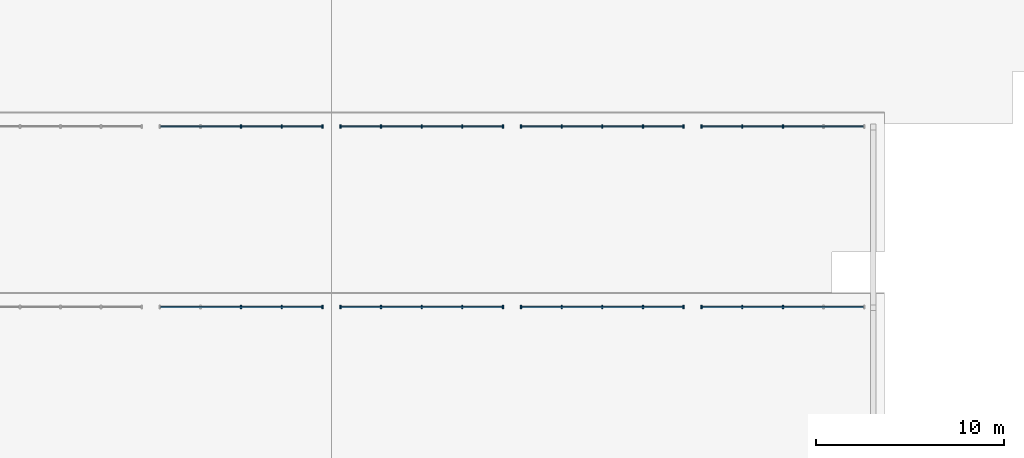
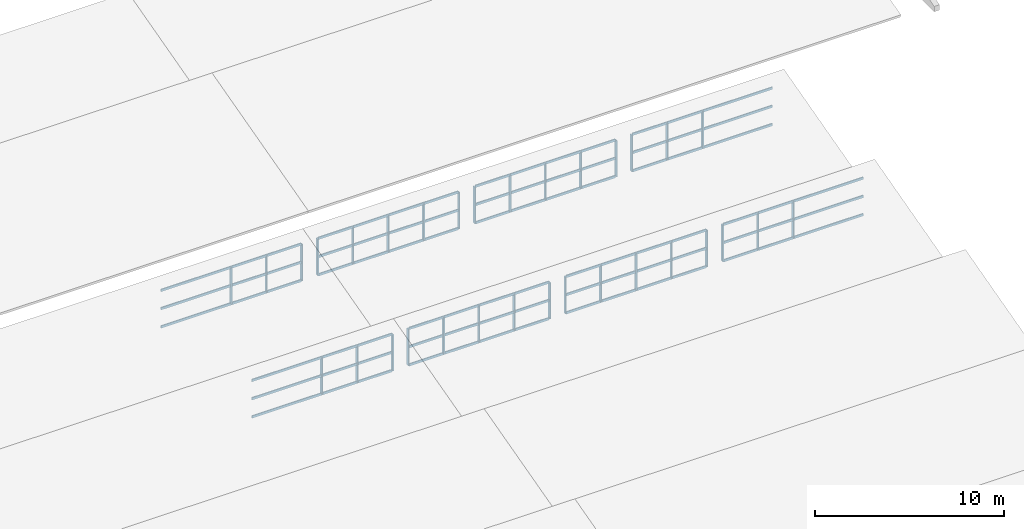
# One storey, part 6 of 18: 56 members, 8 elements without a shape of their own.
"""IFC4 building model written with IfcOpenShell, lengths in metres."""

import ifcopenshell
import ifcopenshell.guid

model = None  # the IFC model being written
_history = None  # IfcOwnerHistory: only IFC2X3 demands one
_inside = {}  # id of a spatial element -> (the spatial element, [elements in it])
_under = {}  # id of a project, library or spatial element -> (it, [spatial elements below it])
_declared = {}  # id of a project -> (the project, [libraries it declares])
_typed = {}  # id of a type object -> (the type object, [elements of that type])
_made_of = {}  # id of a material, layer set ... -> (it, [elements and type objects made of it])


def new_model(schema):
    """Start an empty IFC model of exactly this schema.

    Asked for "IFC4X3", IfcOpenShell would pick the latest addendum, in which some entities
    have other attributes; the version numbers below select the first issue.
    IFC2X3 requires an IfcOwnerHistory on every rooted entity: one is made here for all.
    """
    global model, _history
    if schema == "IFC4X3":
        model = ifcopenshell.file(schema_version=(4, 3, 0, 0))
    else:
        model = ifcopenshell.file(schema=schema)
    _inside.clear()
    _under.clear()
    _declared.clear()
    _typed.clear()
    _made_of.clear()
    _history = None
    if model.schema == "IFC2X3":
        org = make("IfcOrganization", Name="unknown")
        user = make(
            "IfcPersonAndOrganization",
            ThePerson=make("IfcPerson", FamilyName="unknown"),
            TheOrganization=org,
        )
        app = make(
            "IfcApplication",
            ApplicationDeveloper=org,
            Version="unknown",
            ApplicationFullName="unknown",
            ApplicationIdentifier="unknown",
        )
        _history = make(
            "IfcOwnerHistory",
            OwningUser=user,
            OwningApplication=app,
            ChangeAction="ADDED",
            CreationDate=0,
        )
    return model


def make(cls, **values):
    """One entity of the class cls with the attributes given. An attribute that is None is left unset."""
    return model.create_entity(
        cls, **{name: value for name, value in values.items() if value is not None}
    )


def rooted(cls, **values):
    """An entity with a GlobalId (a new one), such as an element, a storey or a relation."""
    return make(cls, GlobalId=ifcopenshell.guid.new(), OwnerHistory=_history, **values)


def si_unit(unit_type, name, prefix=None):
    """IfcSIUnit, for example si_unit("LENGTHUNIT", "METRE", prefix="MILLI")."""
    return make("IfcSIUnit", UnitType=unit_type, Prefix=prefix, Name=name)


def assignment(units):
    """IfcUnitAssignment: the units of a project."""
    return None if units is None else make("IfcUnitAssignment", Units=units)


def point(xyz):
    """IfcCartesianPoint."""
    return None if xyz is None else make("IfcCartesianPoint", Coordinates=xyz)


def direction(xyz):
    """IfcDirection."""
    return None if xyz is None else make("IfcDirection", DirectionRatios=xyz)


def frame(location, z_axis=None, x_axis=None):
    """IfcAxis2Placement3D, a coordinate frame: its origin and axes. An axis left out is left unset."""
    return make(
        "IfcAxis2Placement3D",
        Location=point(location),
        Axis=direction(z_axis),
        RefDirection=direction(x_axis),
    )


def frame_2d(location, x_axis=None):
    """IfcAxis2Placement2D, a coordinate frame in the plane: its origin and x axis."""
    return make(
        "IfcAxis2Placement2D", Location=point(location), RefDirection=direction(x_axis)
    )


def origin():
    """The frame at (0, 0, 0) with its axes left unset."""
    return frame((0.0, 0.0, 0.0))


def origin_2d():
    """The frame at (0, 0) in the plane with its x axis left unset."""
    return frame_2d((0.0, 0.0))


def place(relative_to, where):
    """IfcLocalPlacement: puts the frame where relative to a parent placement (None: the world)."""
    return make(
        "IfcLocalPlacement", PlacementRelTo=relative_to, RelativePlacement=where
    )


def context(
    kind, dimensions, precision=None, world=None, true_north=None, identifier=None
):
    """IfcGeometricRepresentationContext, for example the 3D "Model" context."""
    return make(
        "IfcGeometricRepresentationContext",
        ContextIdentifier=identifier,
        ContextType=kind,
        CoordinateSpaceDimension=dimensions,
        Precision=precision,
        WorldCoordinateSystem=world,
        TrueNorth=true_north,
    )


def subcontext(parent, identifier, kind, view, scale=None):
    """IfcGeometricRepresentationSubContext, for example "Body" below "Model"."""
    return make(
        "IfcGeometricRepresentationSubContext",
        ContextIdentifier=identifier,
        ContextType=kind,
        ParentContext=parent,
        TargetScale=scale,
        TargetView=view,
    )


def project(units=None, contexts=None):
    """IfcProject with its units and contexts."""
    return rooted(
        "IfcProject",
        Name="project",
        RepresentationContexts=contexts,
        UnitsInContext=assignment(units),
    )


def spatial(cls, under=None, at=None, **own):
    """A site, building, storey or space (cls), placed at a placement, below another one or the project."""
    s = rooted(cls, ObjectPlacement=at, **own)
    if under is not None:
        _under.setdefault(under.id(), (under, []))[1].append(s)
    return s


def profile(cls, at=None, kind="AREA", **sizes):
    """A parametric profile (cls). Its sizes go by their IFC names, for example OverallWidth=200.0."""
    return make(cls, ProfileType=kind, Position=at, **sizes)


def rectangle(**sizes):
    """IfcRectangleProfileDef."""
    return profile("IfcRectangleProfileDef", **sizes)


def extrude(swept, where, along, depth):
    """IfcExtrudedAreaSolid: the profile swept, set in the frame where, extruded along a direction by depth."""
    return make(
        "IfcExtrudedAreaSolid",
        SweptArea=swept,
        Position=where,
        ExtrudedDirection=direction(along),
        Depth=depth,
    )


def shape(context_of_items, identifier, shape_type, items):
    """IfcShapeRepresentation: the items that make up one representation, for example the "Body"."""
    return make(
        "IfcShapeRepresentation",
        ContextOfItems=context_of_items,
        RepresentationIdentifier=identifier,
        RepresentationType=shape_type,
        Items=items,
    )


def material(Name=None, Category=None):
    """IfcMaterial."""
    return make("IfcMaterial", Name=Name, Category=Category)


def layer(
    of_material, thickness, ventilated=None, Name=None, Category=None, Priority=None
):
    """IfcMaterialLayer: one layer of a wall or slab, of a material (None: an air gap)."""
    return make(
        "IfcMaterialLayer",
        Material=of_material,
        LayerThickness=thickness,
        IsVentilated=ventilated,
        Name=Name,
        Category=Category,
        Priority=Priority,
    )


def layer_set(layers, Name=None):
    """IfcMaterialLayerSet."""
    return make("IfcMaterialLayerSet", MaterialLayers=layers, LayerSetName=Name)


def material_profile(
    of_material, cross_section, Name=None, Category=None, Priority=None
):
    """IfcMaterialProfile: a cross section and its material."""
    return make(
        "IfcMaterialProfile",
        Name=Name,
        Material=of_material,
        Profile=cross_section,
        Priority=Priority,
        Category=Category,
    )


def profile_set(profiles, Name=None, composite=None):
    """IfcMaterialProfileSet."""
    return make(
        "IfcMaterialProfileSet",
        Name=Name,
        MaterialProfiles=profiles,
        CompositeProfile=composite,
    )


def made_of(thing, what):
    """Note that an element or type object is made of a material, layer set ...; save() writes the relation."""
    if what is not None:
        _made_of.setdefault(what.id(), (what, []))[1].append(thing)
    return thing


def type_object(cls, material=None, **own):
    """A type object (cls), such as IfcWallType, which elements share."""
    return made_of(rooted(cls, **own), material)


def element(
    cls,
    number,
    at=None,
    inside=None,
    cuts=None,
    type_object=None,
    material=None,
    context=None,
    identifier="Body",
    shape_type=None,
    held_by="IfcProductDefinitionShape",
    body=None,
    shapes=None,
    **own,
):
    """One element of the class cls, such as IfcWall. Its Tag is "e" and its number.

    at: its placement. inside: the storey or other place that contains it. cuts: it is an
    opening in that element (IfcRelVoidsElement). A single representation is given by context,
    identifier, shape_type and body (its items); several are given by shapes. held_by: the class
    of the entity that holds the representations. save() writes the other relations.
    """
    e = rooted(cls, Tag="e%d" % number, ObjectPlacement=at, **own)
    if body is not None:
        shapes = [shape(context, identifier, shape_type, body)]
    if shapes is not None:
        e.Representation = make(held_by, Representations=shapes)
    if inside is not None:
        _inside.setdefault(inside.id(), (inside, []))[1].append(e)
    if cuts is not None:
        rooted(
            "IfcRelVoidsElement", RelatingBuildingElement=cuts, RelatedOpeningElement=e
        )
    if type_object is not None:
        _typed.setdefault(type_object.id(), (type_object, []))[1].append(e)
    return made_of(e, material)


def aggregate(whole, parts):
    """IfcRelAggregates: a whole, such as a stair, and the parts it consists of."""
    return rooted("IfcRelAggregates", RelatingObject=whole, RelatedObjects=parts)


def save(model, path):
    """Write the relations noted so far, then the file.

    IfcRelAggregates (storeys below a building ...), IfcRelContainedInSpatialStructure (elements
    in a storey), IfcRelDefinesByType, IfcRelAssociatesMaterial and IfcRelDeclares: one each for
    every whole, place, type object, material and project.
    """
    for whole, parts in _under.values():
        aggregate(whole, parts)
    for where, things in _inside.values():
        rooted(
            "IfcRelContainedInSpatialStructure",
            RelatedElements=things,
            RelatingStructure=where,
        )
    for kind, things in _typed.values():
        rooted("IfcRelDefinesByType", RelatedObjects=things, RelatingType=kind)
    for what, things in _made_of.values():
        rooted("IfcRelAssociatesMaterial", RelatedObjects=things, RelatingMaterial=what)
    for by, libraries in _declared.values():
        rooted("IfcRelDeclares", RelatingContext=by, RelatedDefinitions=libraries)
    model.write(path)


model = new_model("IFC4")

# Units and contexts
model_context = context("Model", 3, precision=1e-05, world=origin(), true_north=direction((0.0, 1.0)))
body_context = subcontext(model_context, "Body", "Model", "MODEL_VIEW")
ifc_project = project(units=[si_unit("LENGTHUNIT", "METRE"), si_unit("AREAUNIT", "SQUARE_METRE"), si_unit("VOLUMEUNIT", "CUBIC_METRE"), si_unit("PLANEANGLEUNIT", "RADIAN"), si_unit("MASSUNIT", "GRAM", prefix="KILO")], contexts=[model_context])

# Site, building, storey
site_placement = place(None, origin())
site = spatial("IfcSite", under=ifc_project, at=site_placement, CompositionType="ELEMENT")
building_placement = place(site_placement, origin())
building = spatial("IfcBuilding", under=site, at=building_placement, Name="Bempovik Park Faculty of Sciences", CompositionType="ELEMENT")
storey_placement = place(building_placement, frame((0.0, 0.0, 50.10009765625)))
storey = spatial("IfcBuildingStorey", under=building, at=storey_placement, Name="Roof", CompositionType="ELEMENT", Elevation=50.10009765625)

# Curtain wall, members
ifc_material_1 = material(Name="Tempered laminated low-E glass", Category="glass")
ifc_layer_1 = layer(ifc_material_1, 0.159912109375)
ifc_layer_set_1 = layer_set([ifc_layer_1], Name="Tempered laminated low-E glass")
curtain_wall_type_1 = type_object("IfcCurtainWallType", Name="CW-53 Curtain 8000x2550", PredefinedType="USERDEFINED", material=ifc_layer_set_1)
curtain_wall_1_placement = place(storey_placement, origin())
curtain_wall_1 = element("IfcCurtainWall", 1, at=curtain_wall_1_placement, inside=storey, type_object=curtain_wall_type_1, Name="V1 Sawtooth North-Light Clerestory Bay 4 (79.2-88.8)", ObjectType="NORTH LIGHT CLERESTORY", PredefinedType="USERDEFINED")
ifc_material_2 = material(Name="Anodised aluminium", Category="aluminium")
ifc_material_profile_1 = material_profile(ifc_material_2, rectangle(XDim=0.070068359375, YDim=0.179931640625, at=origin_2d()), Name="ALU-M 70x180")
ifc_profile_set_1 = profile_set([ifc_material_profile_1], Name="Anodised aluminium")
member_type_1 = type_object("IfcMemberType", Name="ML-26 ALU-M 70x180", PredefinedType="MULLION", material=ifc_profile_set_1)
member_1_placement = place(storey_placement, frame((84.0, 58.080078125, -30.2001953125), z_axis=(0.0, 0.0, 1.0), x_axis=(1.0, 0.0, 0.0)))
member_1 = element("IfcMember", 2, at=member_1_placement, type_object=member_type_1, Name="CW-NL-V1-B4-792 Mullion 2", PredefinedType="MULLION", context=body_context, shape_type="SweptSolid", body=[
    extrude(rectangle(XDim=0.070068359375, YDim=0.179931640625, at=origin_2d()), origin(), (0.0, 0.0, 1.0), 2.352294921875),
])
member_2_placement = place(storey_placement, frame((86.159912109375, 58.080078125, -30.2001953125), z_axis=(0.0, 0.0, 1.0), x_axis=(1.0, 0.0, 0.0)))
member_2 = element("IfcMember", 3, at=member_2_placement, type_object=member_type_1, Name="CW-NL-V1-B4-792 Mullion 3", PredefinedType="MULLION", context=body_context, shape_type="SweptSolid", body=[
    extrude(rectangle(XDim=0.070068359375, YDim=0.179931640625, at=origin_2d()), origin(), (0.0, 0.0, 1.0), 2.352294921875),
])
member_3_placement = place(storey_placement, frame((88.320068359375, 58.080078125, -30.2001953125), z_axis=(0.0, 0.0, 1.0), x_axis=(1.0, 0.0, 0.0)))
member_3 = element("IfcMember", 4, at=member_3_placement, type_object=member_type_1, Name="CW-NL-V1-B4-792 Mullion 4", PredefinedType="MULLION", context=body_context, shape_type="SweptSolid", body=[
    extrude(rectangle(XDim=0.070068359375, YDim=0.179931640625, at=origin_2d()), origin(), (0.0, 0.0, 1.0), 2.352294921875),
])

curtain_wall_2_placement = place(storey_placement, origin())
curtain_wall_2 = element("IfcCurtainWall", 5, at=curtain_wall_2_placement, inside=storey, type_object=curtain_wall_type_1, Name="V1 Sawtooth North-Light Clerestory Bay 4 (88.8-98.4)", ObjectType="NORTH LIGHT CLERESTORY", PredefinedType="USERDEFINED")
member_4_placement = place(storey_placement, frame((89.280029296875, 58.080078125, -30.2001953125), z_axis=(0.0, 0.0, 1.0), x_axis=(1.0, 0.0, 0.0)))
member_4 = element("IfcMember", 6, at=member_4_placement, type_object=member_type_1, Name="CW-NL-V1-B4-888 Mullion 0", PredefinedType="MULLION", context=body_context, shape_type="SweptSolid", body=[
    extrude(rectangle(XDim=0.070068359375, YDim=0.179931640625, at=origin_2d()), origin(), (0.0, 0.0, 1.0), 2.352294921875),
])
member_5_placement = place(storey_placement, frame((91.43994140625, 58.080078125, -30.2001953125), z_axis=(0.0, 0.0, 1.0), x_axis=(1.0, 0.0, 0.0)))
member_5 = element("IfcMember", 7, at=member_5_placement, type_object=member_type_1, Name="CW-NL-V1-B4-888 Mullion 1", PredefinedType="MULLION", context=body_context, shape_type="SweptSolid", body=[
    extrude(rectangle(XDim=0.070068359375, YDim=0.179931640625, at=origin_2d()), origin(), (0.0, 0.0, 1.0), 2.352294921875),
])
member_6_placement = place(storey_placement, frame((93.60009765625, 58.080078125, -30.2001953125), z_axis=(0.0, 0.0, 1.0), x_axis=(1.0, 0.0, 0.0)))
member_6 = element("IfcMember", 8, at=member_6_placement, type_object=member_type_1, Name="CW-NL-V1-B4-888 Mullion 2", PredefinedType="MULLION", context=body_context, shape_type="SweptSolid", body=[
    extrude(rectangle(XDim=0.070068359375, YDim=0.179931640625, at=origin_2d()), origin(), (0.0, 0.0, 1.0), 2.352294921875),
])
member_7_placement = place(storey_placement, frame((95.760009765625, 58.080078125, -30.2001953125), z_axis=(0.0, 0.0, 1.0), x_axis=(1.0, 0.0, 0.0)))
member_7 = element("IfcMember", 9, at=member_7_placement, type_object=member_type_1, Name="CW-NL-V1-B4-888 Mullion 3", PredefinedType="MULLION", context=body_context, shape_type="SweptSolid", body=[
    extrude(rectangle(XDim=0.070068359375, YDim=0.179931640625, at=origin_2d()), origin(), (0.0, 0.0, 1.0), 2.352294921875),
])
member_8_placement = place(storey_placement, frame((97.919921875, 58.080078125, -30.2001953125), z_axis=(0.0, 0.0, 1.0), x_axis=(1.0, 0.0, 0.0)))
member_8 = element("IfcMember", 10, at=member_8_placement, type_object=member_type_1, Name="CW-NL-V1-B4-888 Mullion 4", PredefinedType="MULLION", context=body_context, shape_type="SweptSolid", body=[
    extrude(rectangle(XDim=0.070068359375, YDim=0.179931640625, at=origin_2d()), origin(), (0.0, 0.0, 1.0), 2.352294921875),
])

curtain_wall_3_placement = place(storey_placement, origin())
curtain_wall_3 = element("IfcCurtainWall", 11, at=curtain_wall_3_placement, inside=storey, type_object=curtain_wall_type_1, Name="V1 Sawtooth North-Light Clerestory Bay 4 (98.4-108.0)", ObjectType="NORTH LIGHT CLERESTORY", PredefinedType="USERDEFINED")
member_9_placement = place(storey_placement, frame((98.8798828125, 58.080078125, -30.2001953125), z_axis=(0.0, 0.0, 1.0), x_axis=(1.0, 0.0, 0.0)))
member_9 = element("IfcMember", 12, at=member_9_placement, type_object=member_type_1, Name="CW-NL-V1-B4-984 Mullion 0", PredefinedType="MULLION", context=body_context, shape_type="SweptSolid", body=[
    extrude(rectangle(XDim=0.070068359375, YDim=0.179931640625, at=origin_2d()), origin(), (0.0, 0.0, 1.0), 2.352294921875),
])
member_10_placement = place(storey_placement, frame((101.0400390625, 58.080078125, -30.2001953125), z_axis=(0.0, 0.0, 1.0), x_axis=(1.0, 0.0, 0.0)))
member_10 = element("IfcMember", 13, at=member_10_placement, type_object=member_type_1, Name="CW-NL-V1-B4-984 Mullion 1", PredefinedType="MULLION", context=body_context, shape_type="SweptSolid", body=[
    extrude(rectangle(XDim=0.070068359375, YDim=0.179931640625, at=origin_2d()), origin(), (0.0, 0.0, 1.0), 2.352294921875),
])
member_11_placement = place(storey_placement, frame((103.199951171875, 58.080078125, -30.2001953125), z_axis=(0.0, 0.0, 1.0), x_axis=(1.0, 0.0, 0.0)))
member_11 = element("IfcMember", 14, at=member_11_placement, type_object=member_type_1, Name="CW-NL-V1-B4-984 Mullion 2", PredefinedType="MULLION", context=body_context, shape_type="SweptSolid", body=[
    extrude(rectangle(XDim=0.070068359375, YDim=0.179931640625, at=origin_2d()), origin(), (0.0, 0.0, 1.0), 2.352294921875),
])
member_12_placement = place(storey_placement, frame((105.360107421875, 58.080078125, -30.2001953125), z_axis=(0.0, 0.0, 1.0), x_axis=(1.0, 0.0, 0.0)))
member_12 = element("IfcMember", 15, at=member_12_placement, type_object=member_type_1, Name="CW-NL-V1-B4-984 Mullion 3", PredefinedType="MULLION", context=body_context, shape_type="SweptSolid", body=[
    extrude(rectangle(XDim=0.070068359375, YDim=0.179931640625, at=origin_2d()), origin(), (0.0, 0.0, 1.0), 2.352294921875),
])
member_13_placement = place(storey_placement, frame((107.52001953125, 58.080078125, -30.2001953125), z_axis=(0.0, 0.0, 1.0), x_axis=(1.0, 0.0, 0.0)))
member_13 = element("IfcMember", 16, at=member_13_placement, type_object=member_type_1, Name="CW-NL-V1-B4-984 Mullion 4", PredefinedType="MULLION", context=body_context, shape_type="SweptSolid", body=[
    extrude(rectangle(XDim=0.070068359375, YDim=0.179931640625, at=origin_2d()), origin(), (0.0, 0.0, 1.0), 2.352294921875),
])

ifc_layer_2 = layer(ifc_material_1, 0.159912109375)
ifc_layer_set_2 = layer_set([ifc_layer_2], Name="Tempered laminated low-E glass")
curtain_wall_type_2 = type_object("IfcCurtainWallType", Name="CW-17 Curtain 7200x2550", PredefinedType="USERDEFINED", material=ifc_layer_set_2)
curtain_wall_4_placement = place(storey_placement, origin())
curtain_wall_4 = element("IfcCurtainWall", 17, at=curtain_wall_4_placement, inside=storey, type_object=curtain_wall_type_2, Name="V1 Sawtooth North-Light Clerestory Bay 4 (108.0-117.6)", ObjectType="NORTH LIGHT CLERESTORY", PredefinedType="USERDEFINED")
member_14_placement = place(storey_placement, frame((108.47998046875, 58.080078125, -30.2001953125), z_axis=(0.0, 0.0, 1.0), x_axis=(1.0, 0.0, 0.0)))
member_14 = element("IfcMember", 18, at=member_14_placement, type_object=member_type_1, Name="CW-NL-V1-B4-1080 Mullion 0", PredefinedType="MULLION", context=body_context, shape_type="SweptSolid", body=[
    extrude(rectangle(XDim=0.070068359375, YDim=0.179931640625, at=origin_2d()), origin(), (0.0, 0.0, 1.0), 2.352294921875),
])
member_15_placement = place(storey_placement, frame((110.639892578125, 58.080078125, -30.2001953125), z_axis=(0.0, 0.0, 1.0), x_axis=(1.0, 0.0, 0.0)))
member_15 = element("IfcMember", 19, at=member_15_placement, type_object=member_type_1, Name="CW-NL-V1-B4-1080 Mullion 1", PredefinedType="MULLION", context=body_context, shape_type="SweptSolid", body=[
    extrude(rectangle(XDim=0.070068359375, YDim=0.179931640625, at=origin_2d()), origin(), (0.0, 0.0, 1.0), 2.352294921875),
])
member_16_placement = place(storey_placement, frame((112.800048828125, 58.080078125, -30.2001953125), z_axis=(0.0, 0.0, 1.0), x_axis=(1.0, 0.0, 0.0)))
member_16 = element("IfcMember", 20, at=member_16_placement, type_object=member_type_1, Name="CW-NL-V1-B4-1080 Mullion 2", PredefinedType="MULLION", context=body_context, shape_type="SweptSolid", body=[
    extrude(rectangle(XDim=0.070068359375, YDim=0.179931640625, at=origin_2d()), origin(), (0.0, 0.0, 1.0), 2.352294921875),
])

curtain_wall_5_placement = place(storey_placement, origin())
curtain_wall_5 = element("IfcCurtainWall", 21, at=curtain_wall_5_placement, inside=storey, type_object=curtain_wall_type_1, Name="V1 Sawtooth North-Light Clerestory Bay 5 (79.2-88.8)", ObjectType="NORTH LIGHT CLERESTORY", PredefinedType="USERDEFINED")
member_17_placement = place(storey_placement, frame((84.0, 67.679931640625, -30.2001953125), z_axis=(0.0, 0.0, 1.0), x_axis=(1.0, 0.0, 0.0)))
member_17 = element("IfcMember", 22, at=member_17_placement, type_object=member_type_1, Name="CW-NL-V1-B5-792 Mullion 2", PredefinedType="MULLION", context=body_context, shape_type="SweptSolid", body=[
    extrude(rectangle(XDim=0.070068359375, YDim=0.179931640625, at=origin_2d()), origin(), (0.0, 0.0, 1.0), 2.352294921875),
])
member_18_placement = place(storey_placement, frame((86.159912109375, 67.679931640625, -30.2001953125), z_axis=(0.0, 0.0, 1.0), x_axis=(1.0, 0.0, 0.0)))
member_18 = element("IfcMember", 23, at=member_18_placement, type_object=member_type_1, Name="CW-NL-V1-B5-792 Mullion 3", PredefinedType="MULLION", context=body_context, shape_type="SweptSolid", body=[
    extrude(rectangle(XDim=0.070068359375, YDim=0.179931640625, at=origin_2d()), origin(), (0.0, 0.0, 1.0), 2.352294921875),
])
member_19_placement = place(storey_placement, frame((88.320068359375, 67.679931640625, -30.2001953125), z_axis=(0.0, 0.0, 1.0), x_axis=(1.0, 0.0, 0.0)))
member_19 = element("IfcMember", 24, at=member_19_placement, type_object=member_type_1, Name="CW-NL-V1-B5-792 Mullion 4", PredefinedType="MULLION", context=body_context, shape_type="SweptSolid", body=[
    extrude(rectangle(XDim=0.070068359375, YDim=0.179931640625, at=origin_2d()), origin(), (0.0, 0.0, 1.0), 2.352294921875),
])

curtain_wall_6_placement = place(storey_placement, origin())
curtain_wall_6 = element("IfcCurtainWall", 25, at=curtain_wall_6_placement, inside=storey, type_object=curtain_wall_type_1, Name="V1 Sawtooth North-Light Clerestory Bay 5 (88.8-98.4)", ObjectType="NORTH LIGHT CLERESTORY", PredefinedType="USERDEFINED")
member_20_placement = place(storey_placement, frame((89.280029296875, 67.679931640625, -30.2001953125), z_axis=(0.0, 0.0, 1.0), x_axis=(1.0, 0.0, 0.0)))
member_20 = element("IfcMember", 26, at=member_20_placement, type_object=member_type_1, Name="CW-NL-V1-B5-888 Mullion 0", PredefinedType="MULLION", context=body_context, shape_type="SweptSolid", body=[
    extrude(rectangle(XDim=0.070068359375, YDim=0.179931640625, at=origin_2d()), origin(), (0.0, 0.0, 1.0), 2.352294921875),
])
member_21_placement = place(storey_placement, frame((91.43994140625, 67.679931640625, -30.2001953125), z_axis=(0.0, 0.0, 1.0), x_axis=(1.0, 0.0, 0.0)))
member_21 = element("IfcMember", 27, at=member_21_placement, type_object=member_type_1, Name="CW-NL-V1-B5-888 Mullion 1", PredefinedType="MULLION", context=body_context, shape_type="SweptSolid", body=[
    extrude(rectangle(XDim=0.070068359375, YDim=0.179931640625, at=origin_2d()), origin(), (0.0, 0.0, 1.0), 2.352294921875),
])
member_22_placement = place(storey_placement, frame((93.60009765625, 67.679931640625, -30.2001953125), z_axis=(0.0, 0.0, 1.0), x_axis=(1.0, 0.0, 0.0)))
member_22 = element("IfcMember", 28, at=member_22_placement, type_object=member_type_1, Name="CW-NL-V1-B5-888 Mullion 2", PredefinedType="MULLION", context=body_context, shape_type="SweptSolid", body=[
    extrude(rectangle(XDim=0.070068359375, YDim=0.179931640625, at=origin_2d()), origin(), (0.0, 0.0, 1.0), 2.352294921875),
])
member_23_placement = place(storey_placement, frame((95.760009765625, 67.679931640625, -30.2001953125), z_axis=(0.0, 0.0, 1.0), x_axis=(1.0, 0.0, 0.0)))
member_23 = element("IfcMember", 29, at=member_23_placement, type_object=member_type_1, Name="CW-NL-V1-B5-888 Mullion 3", PredefinedType="MULLION", context=body_context, shape_type="SweptSolid", body=[
    extrude(rectangle(XDim=0.070068359375, YDim=0.179931640625, at=origin_2d()), origin(), (0.0, 0.0, 1.0), 2.352294921875),
])
member_24_placement = place(storey_placement, frame((97.919921875, 67.679931640625, -30.2001953125), z_axis=(0.0, 0.0, 1.0), x_axis=(1.0, 0.0, 0.0)))
member_24 = element("IfcMember", 30, at=member_24_placement, type_object=member_type_1, Name="CW-NL-V1-B5-888 Mullion 4", PredefinedType="MULLION", context=body_context, shape_type="SweptSolid", body=[
    extrude(rectangle(XDim=0.070068359375, YDim=0.179931640625, at=origin_2d()), origin(), (0.0, 0.0, 1.0), 2.352294921875),
])

curtain_wall_7_placement = place(storey_placement, origin())
curtain_wall_7 = element("IfcCurtainWall", 31, at=curtain_wall_7_placement, inside=storey, type_object=curtain_wall_type_1, Name="V1 Sawtooth North-Light Clerestory Bay 5 (98.4-108.0)", ObjectType="NORTH LIGHT CLERESTORY", PredefinedType="USERDEFINED")
member_25_placement = place(storey_placement, frame((98.8798828125, 67.679931640625, -30.2001953125), z_axis=(0.0, 0.0, 1.0), x_axis=(1.0, 0.0, 0.0)))
member_25 = element("IfcMember", 32, at=member_25_placement, type_object=member_type_1, Name="CW-NL-V1-B5-984 Mullion 0", PredefinedType="MULLION", context=body_context, shape_type="SweptSolid", body=[
    extrude(rectangle(XDim=0.070068359375, YDim=0.179931640625, at=origin_2d()), origin(), (0.0, 0.0, 1.0), 2.352294921875),
])
member_26_placement = place(storey_placement, frame((101.0400390625, 67.679931640625, -30.2001953125), z_axis=(0.0, 0.0, 1.0), x_axis=(1.0, 0.0, 0.0)))
member_26 = element("IfcMember", 33, at=member_26_placement, type_object=member_type_1, Name="CW-NL-V1-B5-984 Mullion 1", PredefinedType="MULLION", context=body_context, shape_type="SweptSolid", body=[
    extrude(rectangle(XDim=0.070068359375, YDim=0.179931640625, at=origin_2d()), origin(), (0.0, 0.0, 1.0), 2.352294921875),
])
member_27_placement = place(storey_placement, frame((103.199951171875, 67.679931640625, -30.2001953125), z_axis=(0.0, 0.0, 1.0), x_axis=(1.0, 0.0, 0.0)))
member_27 = element("IfcMember", 34, at=member_27_placement, type_object=member_type_1, Name="CW-NL-V1-B5-984 Mullion 2", PredefinedType="MULLION", context=body_context, shape_type="SweptSolid", body=[
    extrude(rectangle(XDim=0.070068359375, YDim=0.179931640625, at=origin_2d()), origin(), (0.0, 0.0, 1.0), 2.352294921875),
])
member_28_placement = place(storey_placement, frame((105.360107421875, 67.679931640625, -30.2001953125), z_axis=(0.0, 0.0, 1.0), x_axis=(1.0, 0.0, 0.0)))
member_28 = element("IfcMember", 35, at=member_28_placement, type_object=member_type_1, Name="CW-NL-V1-B5-984 Mullion 3", PredefinedType="MULLION", context=body_context, shape_type="SweptSolid", body=[
    extrude(rectangle(XDim=0.070068359375, YDim=0.179931640625, at=origin_2d()), origin(), (0.0, 0.0, 1.0), 2.352294921875),
])
member_29_placement = place(storey_placement, frame((107.52001953125, 67.679931640625, -30.2001953125), z_axis=(0.0, 0.0, 1.0), x_axis=(1.0, 0.0, 0.0)))
member_29 = element("IfcMember", 36, at=member_29_placement, type_object=member_type_1, Name="CW-NL-V1-B5-984 Mullion 4", PredefinedType="MULLION", context=body_context, shape_type="SweptSolid", body=[
    extrude(rectangle(XDim=0.070068359375, YDim=0.179931640625, at=origin_2d()), origin(), (0.0, 0.0, 1.0), 2.352294921875),
])

curtain_wall_8_placement = place(storey_placement, origin())
curtain_wall_8 = element("IfcCurtainWall", 37, at=curtain_wall_8_placement, inside=storey, type_object=curtain_wall_type_2, Name="V1 Sawtooth North-Light Clerestory Bay 5 (108.0-117.6)", ObjectType="NORTH LIGHT CLERESTORY", PredefinedType="USERDEFINED")
member_30_placement = place(storey_placement, frame((108.47998046875, 67.679931640625, -30.2001953125), z_axis=(0.0, 0.0, 1.0), x_axis=(1.0, 0.0, 0.0)))
member_30 = element("IfcMember", 38, at=member_30_placement, type_object=member_type_1, Name="CW-NL-V1-B5-1080 Mullion 0", PredefinedType="MULLION", context=body_context, shape_type="SweptSolid", body=[
    extrude(rectangle(XDim=0.070068359375, YDim=0.179931640625, at=origin_2d()), origin(), (0.0, 0.0, 1.0), 2.352294921875),
])
member_31_placement = place(storey_placement, frame((110.639892578125, 67.679931640625, -30.2001953125), z_axis=(0.0, 0.0, 1.0), x_axis=(1.0, 0.0, 0.0)))
member_31 = element("IfcMember", 39, at=member_31_placement, type_object=member_type_1, Name="CW-NL-V1-B5-1080 Mullion 1", PredefinedType="MULLION", context=body_context, shape_type="SweptSolid", body=[
    extrude(rectangle(XDim=0.070068359375, YDim=0.179931640625, at=origin_2d()), origin(), (0.0, 0.0, 1.0), 2.352294921875),
])
member_32_placement = place(storey_placement, frame((112.800048828125, 67.679931640625, -30.2001953125), z_axis=(0.0, 0.0, 1.0), x_axis=(1.0, 0.0, 0.0)))
member_32 = element("IfcMember", 40, at=member_32_placement, type_object=member_type_1, Name="CW-NL-V1-B5-1080 Mullion 2", PredefinedType="MULLION", context=body_context, shape_type="SweptSolid", body=[
    extrude(rectangle(XDim=0.070068359375, YDim=0.179931640625, at=origin_2d()), origin(), (0.0, 0.0, 1.0), 2.352294921875),
])

# Member
ifc_material_profile_2 = material_profile(ifc_material_2, rectangle(XDim=0.070068359375, YDim=0.14990234375, at=origin_2d()), Name="ALU-T 70x150")
ifc_profile_set_2 = profile_set([ifc_material_profile_2], Name="Anodised aluminium")
member_type_2 = type_object("IfcMemberType", Name="TR-21 ALU-T 70x150", PredefinedType="USERDEFINED", material=ifc_profile_set_2)
member_33_placement = place(storey_placement, frame((79.719970703125, 58.080078125, -30.2001953125), z_axis=(1.0, 0.0, 0.0), x_axis=(0.0, 1.0, 0.0)))
member_33 = element("IfcMember", 41, at=member_33_placement, type_object=member_type_2, Name="CW-NL-V1-B4-792 Transom 0", ObjectType="TRANSOM", PredefinedType="USERDEFINED", context=body_context, shape_type="SweptSolid", body=[
    extrude(rectangle(XDim=0.070068359375, YDim=0.14990234375, at=origin_2d()), origin(), (0.0, 0.0, 1.0), 8.56005859375),
])

member_34_placement = place(storey_placement, frame((79.719970703125, 58.080078125, -29.02392578125), z_axis=(1.0, 0.0, 0.0), x_axis=(0.0, 1.0, 0.0)))
member_34 = element("IfcMember", 42, at=member_34_placement, type_object=member_type_2, Name="CW-NL-V1-B4-792 Transom 1", ObjectType="TRANSOM", PredefinedType="USERDEFINED", context=body_context, shape_type="SweptSolid", body=[
    extrude(rectangle(XDim=0.070068359375, YDim=0.14990234375, at=origin_2d()), origin(), (0.0, 0.0, 1.0), 8.56005859375),
])

member_35_placement = place(storey_placement, frame((79.719970703125, 58.080078125, -27.847900390625), z_axis=(1.0, 0.0, 0.0), x_axis=(0.0, 1.0, 0.0)))
member_35 = element("IfcMember", 43, at=member_35_placement, type_object=member_type_2, Name="CW-NL-V1-B4-792 Transom 2", ObjectType="TRANSOM", PredefinedType="USERDEFINED", context=body_context, shape_type="SweptSolid", body=[
    extrude(rectangle(XDim=0.070068359375, YDim=0.14990234375, at=origin_2d()), origin(), (0.0, 0.0, 1.0), 8.56005859375),
])

aggregate(curtain_wall_1, [member_1, member_2, member_3, member_33, member_34, member_35])

member_36_placement = place(storey_placement, frame((89.320068359375, 58.080078125, -30.2001953125), z_axis=(1.0, 0.0, 0.0), x_axis=(0.0, 1.0, 0.0)))
member_36 = element("IfcMember", 44, at=member_36_placement, type_object=member_type_2, Name="CW-NL-V1-B4-888 Transom 0", ObjectType="TRANSOM", PredefinedType="USERDEFINED", context=body_context, shape_type="SweptSolid", body=[
    extrude(rectangle(XDim=0.070068359375, YDim=0.14990234375, at=origin_2d()), origin(), (0.0, 0.0, 1.0), 8.559814453125),
])

member_37_placement = place(storey_placement, frame((89.320068359375, 58.080078125, -29.02392578125), z_axis=(1.0, 0.0, 0.0), x_axis=(0.0, 1.0, 0.0)))
member_37 = element("IfcMember", 45, at=member_37_placement, type_object=member_type_2, Name="CW-NL-V1-B4-888 Transom 1", ObjectType="TRANSOM", PredefinedType="USERDEFINED", context=body_context, shape_type="SweptSolid", body=[
    extrude(rectangle(XDim=0.070068359375, YDim=0.14990234375, at=origin_2d()), origin(), (0.0, 0.0, 1.0), 8.559814453125),
])

member_38_placement = place(storey_placement, frame((89.320068359375, 58.080078125, -27.847900390625), z_axis=(1.0, 0.0, 0.0), x_axis=(0.0, 1.0, 0.0)))
member_38 = element("IfcMember", 46, at=member_38_placement, type_object=member_type_2, Name="CW-NL-V1-B4-888 Transom 2", ObjectType="TRANSOM", PredefinedType="USERDEFINED", context=body_context, shape_type="SweptSolid", body=[
    extrude(rectangle(XDim=0.070068359375, YDim=0.14990234375, at=origin_2d()), origin(), (0.0, 0.0, 1.0), 8.559814453125),
])

aggregate(curtain_wall_2, [member_4, member_5, member_6, member_7, member_8, member_36, member_37, member_38])

member_39_placement = place(storey_placement, frame((98.919921875, 58.080078125, -30.2001953125), z_axis=(1.0, 0.0, 0.0), x_axis=(0.0, 1.0, 0.0)))
member_39 = element("IfcMember", 47, at=member_39_placement, type_object=member_type_2, Name="CW-NL-V1-B4-984 Transom 0", ObjectType="TRANSOM", PredefinedType="USERDEFINED", context=body_context, shape_type="SweptSolid", body=[
    extrude(rectangle(XDim=0.070068359375, YDim=0.14990234375, at=origin_2d()), origin(), (0.0, 0.0, 1.0), 8.56005859375),
])

member_40_placement = place(storey_placement, frame((98.919921875, 58.080078125, -29.02392578125), z_axis=(1.0, 0.0, 0.0), x_axis=(0.0, 1.0, 0.0)))
member_40 = element("IfcMember", 48, at=member_40_placement, type_object=member_type_2, Name="CW-NL-V1-B4-984 Transom 1", ObjectType="TRANSOM", PredefinedType="USERDEFINED", context=body_context, shape_type="SweptSolid", body=[
    extrude(rectangle(XDim=0.070068359375, YDim=0.14990234375, at=origin_2d()), origin(), (0.0, 0.0, 1.0), 8.56005859375),
])

member_41_placement = place(storey_placement, frame((98.919921875, 58.080078125, -27.847900390625), z_axis=(1.0, 0.0, 0.0), x_axis=(0.0, 1.0, 0.0)))
member_41 = element("IfcMember", 49, at=member_41_placement, type_object=member_type_2, Name="CW-NL-V1-B4-984 Transom 2", ObjectType="TRANSOM", PredefinedType="USERDEFINED", context=body_context, shape_type="SweptSolid", body=[
    extrude(rectangle(XDim=0.070068359375, YDim=0.14990234375, at=origin_2d()), origin(), (0.0, 0.0, 1.0), 8.56005859375),
])

aggregate(curtain_wall_3, [member_9, member_10, member_11, member_12, member_13, member_39, member_40, member_41])

member_42_placement = place(storey_placement, frame((108.52001953125, 58.080078125, -30.2001953125), z_axis=(1.0, 0.0, 0.0), x_axis=(0.0, 1.0, 0.0)))
member_42 = element("IfcMember", 50, at=member_42_placement, type_object=member_type_2, Name="CW-NL-V1-B4-1080 Transom 0", ObjectType="TRANSOM", PredefinedType="USERDEFINED", context=body_context, shape_type="SweptSolid", body=[
    extrude(rectangle(XDim=0.070068359375, YDim=0.14990234375, at=origin_2d()), origin(), (0.0, 0.0, 1.0), 8.56005859375),
])

member_43_placement = place(storey_placement, frame((108.52001953125, 58.080078125, -29.02392578125), z_axis=(1.0, 0.0, 0.0), x_axis=(0.0, 1.0, 0.0)))
member_43 = element("IfcMember", 51, at=member_43_placement, type_object=member_type_2, Name="CW-NL-V1-B4-1080 Transom 1", ObjectType="TRANSOM", PredefinedType="USERDEFINED", context=body_context, shape_type="SweptSolid", body=[
    extrude(rectangle(XDim=0.070068359375, YDim=0.14990234375, at=origin_2d()), origin(), (0.0, 0.0, 1.0), 8.56005859375),
])

member_44_placement = place(storey_placement, frame((108.52001953125, 58.080078125, -27.847900390625), z_axis=(1.0, 0.0, 0.0), x_axis=(0.0, 1.0, 0.0)))
member_44 = element("IfcMember", 52, at=member_44_placement, type_object=member_type_2, Name="CW-NL-V1-B4-1080 Transom 2", ObjectType="TRANSOM", PredefinedType="USERDEFINED", context=body_context, shape_type="SweptSolid", body=[
    extrude(rectangle(XDim=0.070068359375, YDim=0.14990234375, at=origin_2d()), origin(), (0.0, 0.0, 1.0), 8.56005859375),
])

aggregate(curtain_wall_4, [member_14, member_15, member_16, member_42, member_43, member_44])

member_45_placement = place(storey_placement, frame((79.719970703125, 67.679931640625, -30.2001953125), z_axis=(1.0, 0.0, 0.0), x_axis=(0.0, 1.0, 0.0)))
member_45 = element("IfcMember", 53, at=member_45_placement, type_object=member_type_2, Name="CW-NL-V1-B5-792 Transom 0", ObjectType="TRANSOM", PredefinedType="USERDEFINED", context=body_context, shape_type="SweptSolid", body=[
    extrude(rectangle(XDim=0.070068359375, YDim=0.14990234375, at=origin_2d()), origin(), (0.0, 0.0, 1.0), 8.56005859375),
])

member_46_placement = place(storey_placement, frame((79.719970703125, 67.679931640625, -29.02392578125), z_axis=(1.0, 0.0, 0.0), x_axis=(0.0, 1.0, 0.0)))
member_46 = element("IfcMember", 54, at=member_46_placement, type_object=member_type_2, Name="CW-NL-V1-B5-792 Transom 1", ObjectType="TRANSOM", PredefinedType="USERDEFINED", context=body_context, shape_type="SweptSolid", body=[
    extrude(rectangle(XDim=0.070068359375, YDim=0.14990234375, at=origin_2d()), origin(), (0.0, 0.0, 1.0), 8.56005859375),
])

member_47_placement = place(storey_placement, frame((79.719970703125, 67.679931640625, -27.847900390625), z_axis=(1.0, 0.0, 0.0), x_axis=(0.0, 1.0, 0.0)))
member_47 = element("IfcMember", 55, at=member_47_placement, type_object=member_type_2, Name="CW-NL-V1-B5-792 Transom 2", ObjectType="TRANSOM", PredefinedType="USERDEFINED", context=body_context, shape_type="SweptSolid", body=[
    extrude(rectangle(XDim=0.070068359375, YDim=0.14990234375, at=origin_2d()), origin(), (0.0, 0.0, 1.0), 8.56005859375),
])

aggregate(curtain_wall_5, [member_17, member_18, member_19, member_45, member_46, member_47])

member_48_placement = place(storey_placement, frame((89.320068359375, 67.679931640625, -30.2001953125), z_axis=(1.0, 0.0, 0.0), x_axis=(0.0, 1.0, 0.0)))
member_48 = element("IfcMember", 56, at=member_48_placement, type_object=member_type_2, Name="CW-NL-V1-B5-888 Transom 0", ObjectType="TRANSOM", PredefinedType="USERDEFINED", context=body_context, shape_type="SweptSolid", body=[
    extrude(rectangle(XDim=0.070068359375, YDim=0.14990234375, at=origin_2d()), origin(), (0.0, 0.0, 1.0), 8.559814453125),
])

member_49_placement = place(storey_placement, frame((89.320068359375, 67.679931640625, -29.02392578125), z_axis=(1.0, 0.0, 0.0), x_axis=(0.0, 1.0, 0.0)))
member_49 = element("IfcMember", 57, at=member_49_placement, type_object=member_type_2, Name="CW-NL-V1-B5-888 Transom 1", ObjectType="TRANSOM", PredefinedType="USERDEFINED", context=body_context, shape_type="SweptSolid", body=[
    extrude(rectangle(XDim=0.070068359375, YDim=0.14990234375, at=origin_2d()), origin(), (0.0, 0.0, 1.0), 8.559814453125),
])

member_50_placement = place(storey_placement, frame((89.320068359375, 67.679931640625, -27.847900390625), z_axis=(1.0, 0.0, 0.0), x_axis=(0.0, 1.0, 0.0)))
member_50 = element("IfcMember", 58, at=member_50_placement, type_object=member_type_2, Name="CW-NL-V1-B5-888 Transom 2", ObjectType="TRANSOM", PredefinedType="USERDEFINED", context=body_context, shape_type="SweptSolid", body=[
    extrude(rectangle(XDim=0.070068359375, YDim=0.14990234375, at=origin_2d()), origin(), (0.0, 0.0, 1.0), 8.559814453125),
])

aggregate(curtain_wall_6, [member_20, member_21, member_22, member_23, member_24, member_48, member_49, member_50])

member_51_placement = place(storey_placement, frame((98.919921875, 67.679931640625, -30.2001953125), z_axis=(1.0, 0.0, 0.0), x_axis=(0.0, 1.0, 0.0)))
member_51 = element("IfcMember", 59, at=member_51_placement, type_object=member_type_2, Name="CW-NL-V1-B5-984 Transom 0", ObjectType="TRANSOM", PredefinedType="USERDEFINED", context=body_context, shape_type="SweptSolid", body=[
    extrude(rectangle(XDim=0.070068359375, YDim=0.14990234375, at=origin_2d()), origin(), (0.0, 0.0, 1.0), 8.56005859375),
])

member_52_placement = place(storey_placement, frame((98.919921875, 67.679931640625, -29.02392578125), z_axis=(1.0, 0.0, 0.0), x_axis=(0.0, 1.0, 0.0)))
member_52 = element("IfcMember", 60, at=member_52_placement, type_object=member_type_2, Name="CW-NL-V1-B5-984 Transom 1", ObjectType="TRANSOM", PredefinedType="USERDEFINED", context=body_context, shape_type="SweptSolid", body=[
    extrude(rectangle(XDim=0.070068359375, YDim=0.14990234375, at=origin_2d()), origin(), (0.0, 0.0, 1.0), 8.56005859375),
])

member_53_placement = place(storey_placement, frame((98.919921875, 67.679931640625, -27.847900390625), z_axis=(1.0, 0.0, 0.0), x_axis=(0.0, 1.0, 0.0)))
member_53 = element("IfcMember", 61, at=member_53_placement, type_object=member_type_2, Name="CW-NL-V1-B5-984 Transom 2", ObjectType="TRANSOM", PredefinedType="USERDEFINED", context=body_context, shape_type="SweptSolid", body=[
    extrude(rectangle(XDim=0.070068359375, YDim=0.14990234375, at=origin_2d()), origin(), (0.0, 0.0, 1.0), 8.56005859375),
])

aggregate(curtain_wall_7, [member_25, member_26, member_27, member_28, member_29, member_51, member_52, member_53])

member_54_placement = place(storey_placement, frame((108.52001953125, 67.679931640625, -30.2001953125), z_axis=(1.0, 0.0, 0.0), x_axis=(0.0, 1.0, 0.0)))
member_54 = element("IfcMember", 62, at=member_54_placement, type_object=member_type_2, Name="CW-NL-V1-B5-1080 Transom 0", ObjectType="TRANSOM", PredefinedType="USERDEFINED", context=body_context, shape_type="SweptSolid", body=[
    extrude(rectangle(XDim=0.070068359375, YDim=0.14990234375, at=origin_2d()), origin(), (0.0, 0.0, 1.0), 8.56005859375),
])

member_55_placement = place(storey_placement, frame((108.52001953125, 67.679931640625, -29.02392578125), z_axis=(1.0, 0.0, 0.0), x_axis=(0.0, 1.0, 0.0)))
member_55 = element("IfcMember", 63, at=member_55_placement, type_object=member_type_2, Name="CW-NL-V1-B5-1080 Transom 1", ObjectType="TRANSOM", PredefinedType="USERDEFINED", context=body_context, shape_type="SweptSolid", body=[
    extrude(rectangle(XDim=0.070068359375, YDim=0.14990234375, at=origin_2d()), origin(), (0.0, 0.0, 1.0), 8.56005859375),
])

member_56_placement = place(storey_placement, frame((108.52001953125, 67.679931640625, -27.847900390625), z_axis=(1.0, 0.0, 0.0), x_axis=(0.0, 1.0, 0.0)))
member_56 = element("IfcMember", 64, at=member_56_placement, type_object=member_type_2, Name="CW-NL-V1-B5-1080 Transom 2", ObjectType="TRANSOM", PredefinedType="USERDEFINED", context=body_context, shape_type="SweptSolid", body=[
    extrude(rectangle(XDim=0.070068359375, YDim=0.14990234375, at=origin_2d()), origin(), (0.0, 0.0, 1.0), 8.56005859375),
])

aggregate(curtain_wall_8, [member_30, member_31, member_32, member_54, member_55, member_56])

save(model, "model.ifc")
